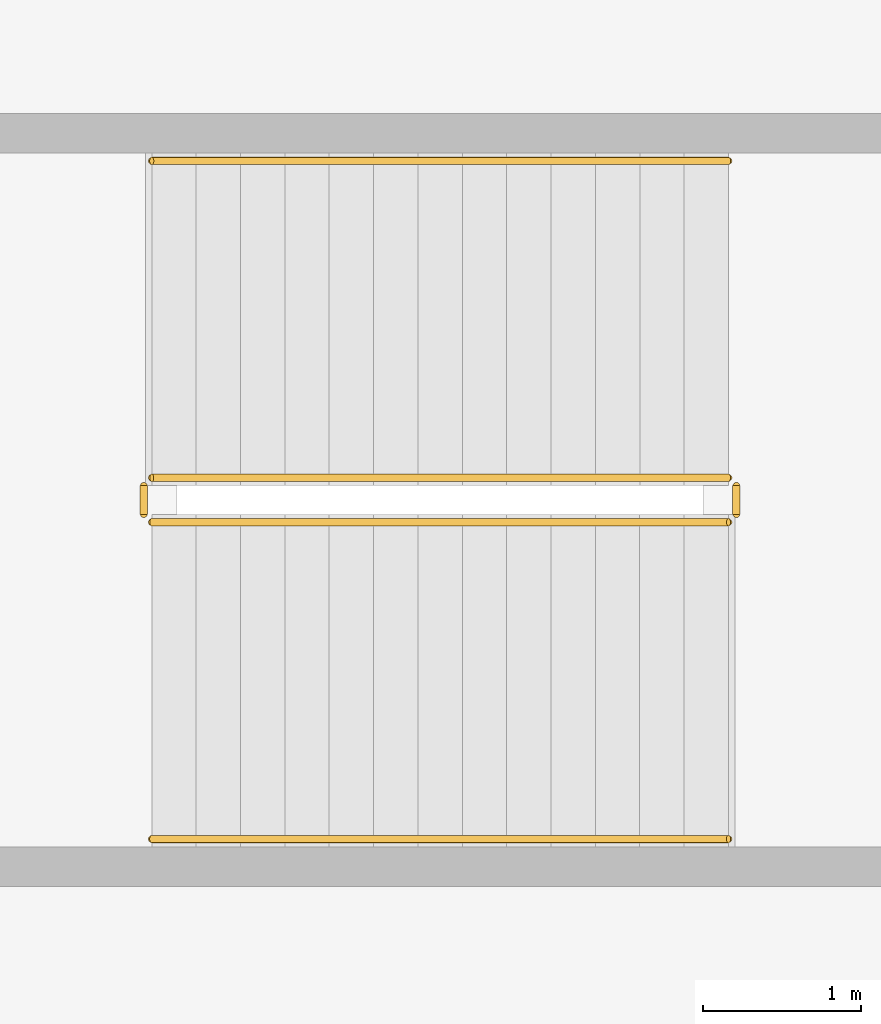
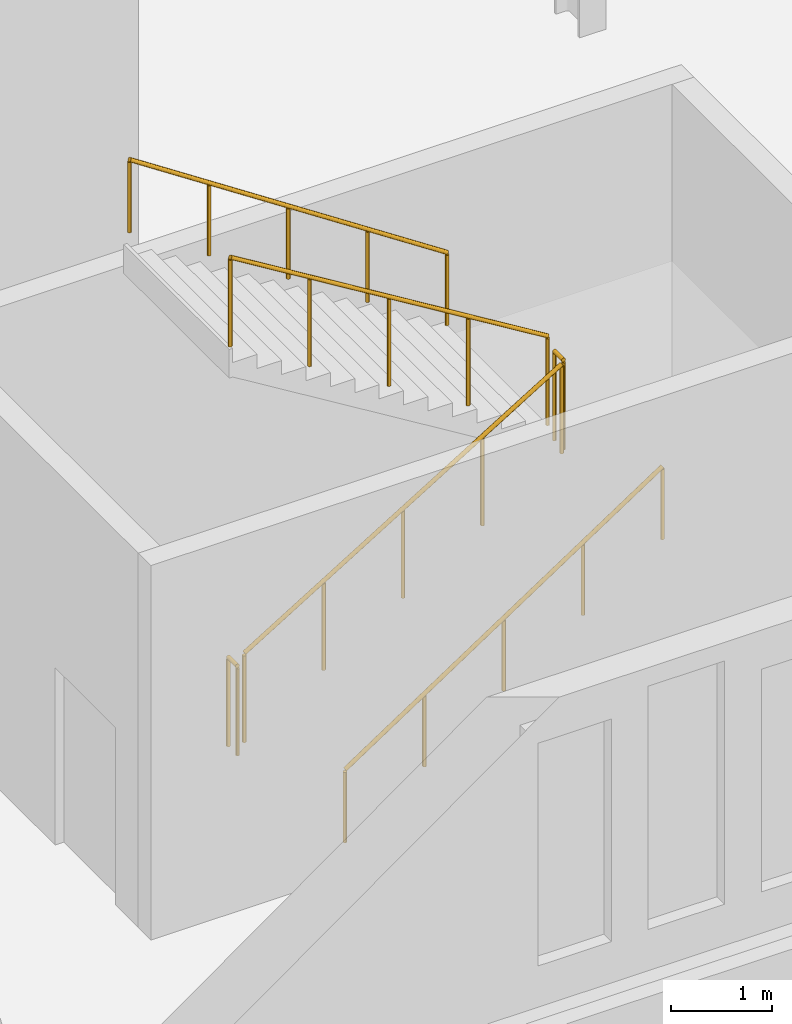
# One storey, part 189 of 193: 6 railings.
"""IFC4 building model written with IfcOpenShell, lengths in metres."""

from ifc_helpers import new_model, si_unit, direction, frame, origin, origin_2d, place, context, subcontext, project, spatial, circle, extrude, material, type_object, element, save


model = new_model("IFC4")

# Units and contexts
model_context = context("Model", 3, precision=1e-05, world=origin(), true_north=direction((0.0, 1.0)))
body_context = subcontext(model_context, "Body", "Model", "MODEL_VIEW")
ifc_project = project(units=[si_unit("LENGTHUNIT", "METRE"), si_unit("AREAUNIT", "SQUARE_METRE"), si_unit("VOLUMEUNIT", "CUBIC_METRE"), si_unit("PLANEANGLEUNIT", "RADIAN"), si_unit("MASSUNIT", "GRAM", prefix="KILO")], contexts=[model_context])

# Site, building, storey
site_placement = place(None, origin())
site = spatial("IfcSite", under=ifc_project, at=site_placement, CompositionType="ELEMENT")
building_placement = place(site_placement, origin())
building = spatial("IfcBuilding", under=site, at=building_placement, Name="Cendralis Lancet Convention Centre", CompositionType="ELEMENT")
storey_placement = place(building_placement, frame((0.0, 0.0, 10.199951171875)))
storey = spatial("IfcBuildingStorey", under=building, at=storey_placement, Name="L02", CompositionType="ELEMENT", Elevation=10.199951171875)

# Railings
ifc_material = material(Name="Steel S355", Category="steel")
railing_type_1 = type_object("IfcRailingType", Name="ARC-RL-CGD", PredefinedType="GUARDRAIL", material=ifc_material)
railing_1_placement = place(storey_placement, frame((129.949951171875, 98.64990234375, 0.17138671875)))
element("IfcRailing", 1, at=railing_1_placement, inside=storey, type_object=railing_type_1, Name="L02 ST-07 stair guard 1", PredefinedType="GUARDRAIL", context=body_context, shape_type="SweptSolid", body=[
    extrude(circle(Radius=0.02392578125, at=origin_2d()), frame((0.0, 0.0, 1.076171875), z_axis=(0.852840387347, 0.0, 0.522171689878), x_axis=(0.0, 1.0, 0.0)), (0.0, 0.0, 1.0), 4.268310546875),
    extrude(circle(Radius=0.02099609375, at=origin_2d()), origin(), (0.0, 0.0, 1.0), 1.052001953125),
    extrude(circle(Radius=0.02099609375, at=origin_2d()), frame((0.91015625, 0.0, 0.55712890625)), (0.0, 0.0, 1.0), 1.052001953125),
    extrude(circle(Radius=0.02099609375, at=origin_2d()), frame((1.820068359375, 0.0, 1.1142578125)), (0.0, 0.0, 1.0), 1.052001953125),
    extrude(circle(Radius=0.02099609375, at=origin_2d()), frame((2.72998046875, 0.0, 1.671630859375)), (0.0, 0.0, 1.0), 1.052001953125),
    extrude(circle(Radius=0.02099609375, at=origin_2d()), frame((3.64013671875, 0.0, 2.228759765625)), (0.0, 0.0, 1.0), 1.052001953125),
])
railing_2_placement = place(storey_placement, frame((133.639892578125, 98.699951171875, 2.400146484375)))
element("IfcRailing", 2, at=railing_2_placement, inside=storey, type_object=railing_type_1, Name="L02 ST-07 stair guard 2", PredefinedType="GUARDRAIL", context=body_context, shape_type="SweptSolid", body=[
    extrude(circle(Radius=0.02392578125, at=origin_2d()), frame((0.0, 0.0, 1.076171875), z_axis=(0.0, 1.0, 0.0), x_axis=(-1.0, 0.0, 0.0)), (0.0, 0.0, 1.0), 0.179931640625),
    extrude(circle(Radius=0.02099609375, at=origin_2d()), origin(), (0.0, 0.0, 1.0), 1.052001953125),
    extrude(circle(Radius=0.02099609375, at=origin_2d()), frame((0.0, 0.179931640625, 0.0)), (0.0, 0.0, 1.0), 1.052001953125),
])
railing_3_placement = place(storey_placement, frame((133.590087890625, 98.929931640625, 2.571533203125)))
element("IfcRailing", 3, at=railing_3_placement, inside=storey, type_object=railing_type_1, Name="L02 ST-07 stair guard 3", PredefinedType="GUARDRAIL", context=body_context, shape_type="SweptSolid", body=[
    extrude(circle(Radius=0.02392578125, at=origin_2d()), frame((0.0, 0.0, 1.076171875), z_axis=(-0.852865859571, 0.0, 0.52213008492), x_axis=(0.0, -1.0, 0.0)), (0.0, 0.0, 1.0), 4.26806640625),
    extrude(circle(Radius=0.02099609375, at=origin_2d()), origin(), (0.0, 0.0, 1.0), 1.052001953125),
    extrude(circle(Radius=0.02099609375, at=origin_2d()), frame((-0.91015625, 0.0, 0.55712890625)), (0.0, 0.0, 1.0), 1.052001953125),
    extrude(circle(Radius=0.02099609375, at=origin_2d()), frame((-1.820068359375, 0.0, 1.1142578125)), (0.0, 0.0, 1.0), 1.052001953125),
    extrude(circle(Radius=0.02099609375, at=origin_2d()), frame((-2.72998046875, 0.0, 1.67138671875)), (0.0, 0.0, 1.0), 1.052001953125),
    extrude(circle(Radius=0.02099609375, at=origin_2d()), frame((-3.64013671875, 0.0, 2.228515625)), (0.0, 0.0, 1.0), 1.052001953125),
])
railing_4_placement = place(storey_placement, frame((129.89990234375, 98.699951171875, 0.0)))
element("IfcRailing", 4, at=railing_4_placement, inside=storey, type_object=railing_type_1, Name="L02 ST-07 stair guard 4", PredefinedType="GUARDRAIL", context=body_context, shape_type="SweptSolid", body=[
    extrude(circle(Radius=0.02392578125, at=origin_2d()), frame((0.0, 0.0, 1.076171875), z_axis=(0.0, 1.0, 0.0), x_axis=(-1.0, 0.0, 0.0)), (0.0, 0.0, 1.0), 0.179931640625),
    extrude(circle(Radius=0.02099609375, at=origin_2d()), origin(), (0.0, 0.0, 1.0), 1.052001953125),
    extrude(circle(Radius=0.02099609375, at=origin_2d()), frame((0.0, 0.179931640625, 0.0)), (0.0, 0.0, 1.0), 1.052001953125),
])
railing_type_2 = type_object("IfcRailingType", Name="ARC-RL-CHR", PredefinedType="HANDRAIL", material=ifc_material)
railing_5_placement = place(storey_placement, frame((129.949951171875, 96.64990234375, 0.17138671875)))
element("IfcRailing", 5, at=railing_5_placement, inside=storey, type_object=railing_type_2, Name="L02 ST-07 stair handrail 1", PredefinedType="HANDRAIL", context=body_context, shape_type="SweptSolid", body=[
    extrude(circle(Radius=0.02392578125, at=origin_2d()), frame((0.0, 0.0, 0.8759765625), z_axis=(0.834856447115, 0.0, 0.55046772177), x_axis=(0.0, 1.0, 0.0)), (0.0, 0.0, 1.0), 4.360107421875),
    extrude(circle(Radius=0.02099609375, at=origin_2d()), origin(), (0.0, 0.0, 1.0), 0.851806640625),
    extrude(circle(Radius=0.02099609375, at=origin_2d()), frame((0.91015625, 0.0, 0.60009765625)), (0.0, 0.0, 1.0), 0.851806640625),
    extrude(circle(Radius=0.02099609375, at=origin_2d()), frame((1.820068359375, 0.0, 1.2001953125)), (0.0, 0.0, 1.0), 0.851806640625),
    extrude(circle(Radius=0.02099609375, at=origin_2d()), frame((2.72998046875, 0.0, 1.800048828125)), (0.0, 0.0, 1.0), 0.851806640625),
    extrude(circle(Radius=0.02099609375, at=origin_2d()), frame((3.64013671875, 0.0, 2.400146484375)), (0.0, 0.0, 1.0), 0.851806640625),
])
railing_6_placement = place(storey_placement, frame((133.590087890625, 100.929931640625, 2.571533203125)))
element("IfcRailing", 6, at=railing_6_placement, inside=storey, type_object=railing_type_2, Name="L02 ST-07 stair handrail 2", PredefinedType="HANDRAIL", context=body_context, shape_type="SweptSolid", body=[
    extrude(circle(Radius=0.02392578125, at=origin_2d()), frame((0.0, 0.0, 0.8759765625), z_axis=(-0.83488217925, 0.0, 0.55042869363), x_axis=(0.0, -1.0, 0.0)), (0.0, 0.0, 1.0), 4.360107421875),
    extrude(circle(Radius=0.02099609375, at=origin_2d()), origin(), (0.0, 0.0, 1.0), 0.851806640625),
    extrude(circle(Radius=0.02099609375, at=origin_2d()), frame((-0.91015625, 0.0, 0.60009765625)), (0.0, 0.0, 1.0), 0.851806640625),
    extrude(circle(Radius=0.02099609375, at=origin_2d()), frame((-1.820068359375, 0.0, 1.199951171875)), (0.0, 0.0, 1.0), 0.851806640625),
    extrude(circle(Radius=0.02099609375, at=origin_2d()), frame((-2.72998046875, 0.0, 1.7998046875)), (0.0, 0.0, 1.0), 0.851806640625),
    extrude(circle(Radius=0.02099609375, at=origin_2d()), frame((-3.64013671875, 0.0, 2.39990234375)), (0.0, 0.0, 1.0), 0.851806640625),
])

save(model, "model.ifc")
